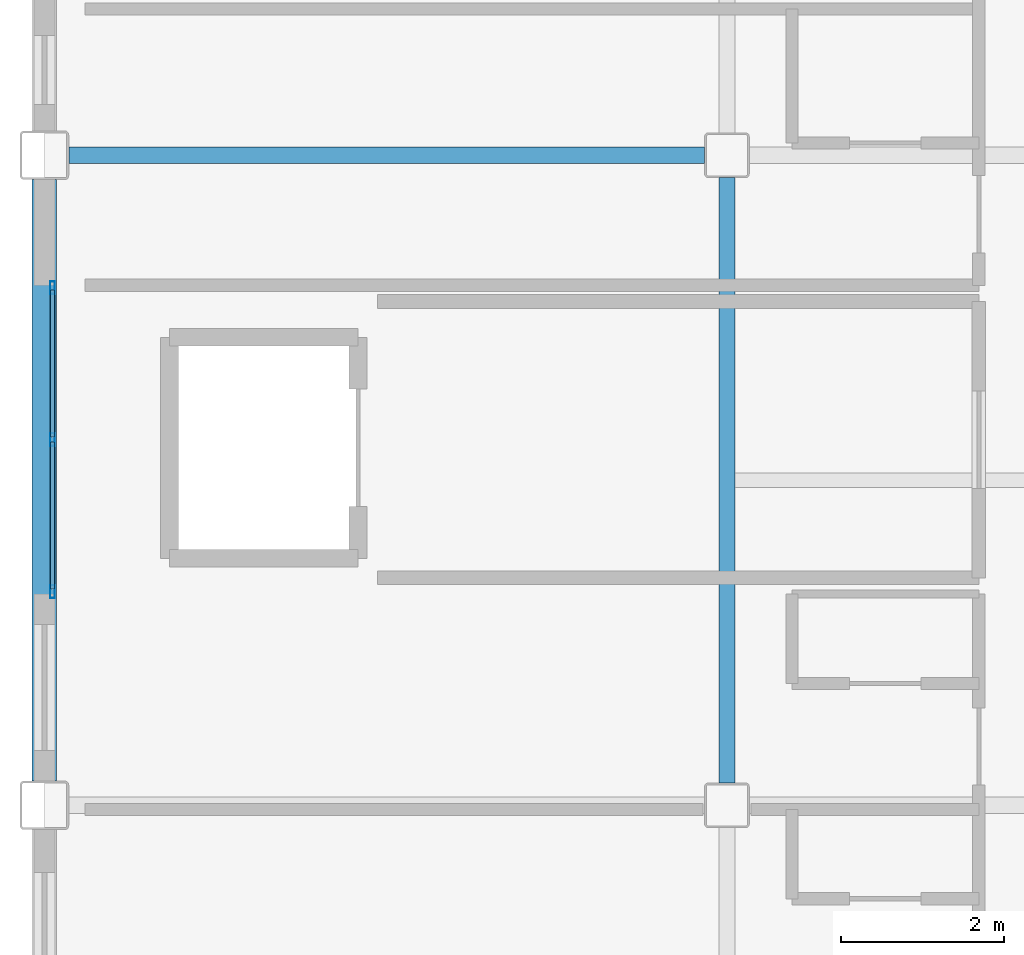
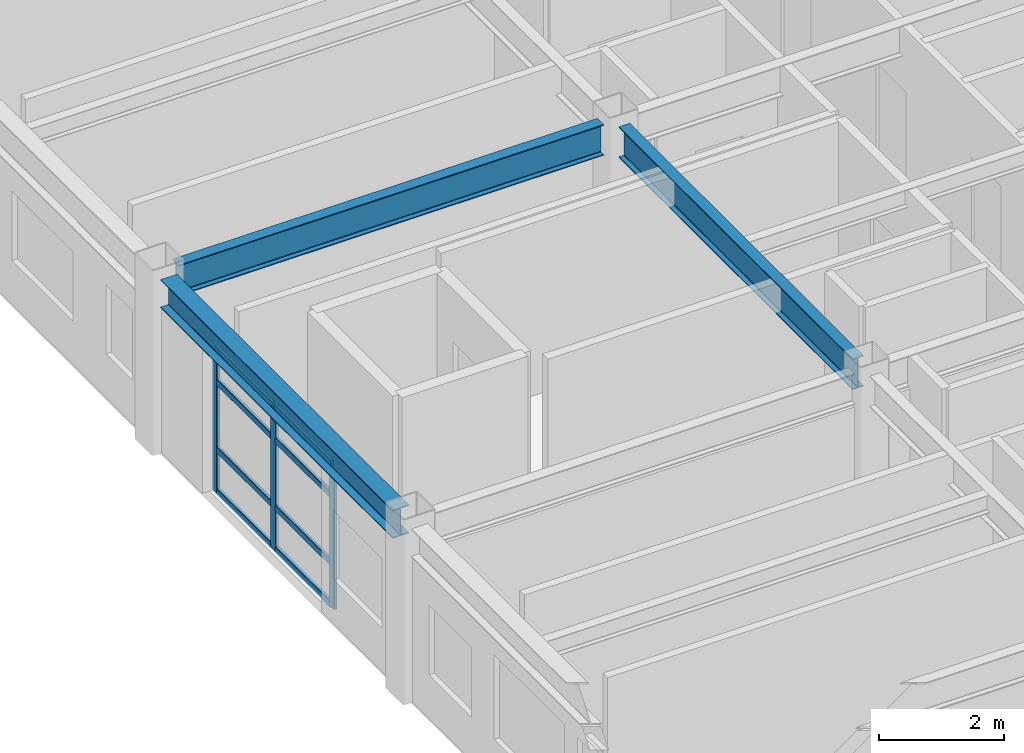
# One storey, part 8 of 36: 11 members, 3 beams, 1 element without a shape of its own.
"""IFC4 building model written with IfcOpenShell, lengths in metres."""

from ifc_helpers import new_model, si_unit, direction, frame, origin, origin_2d, place, context, subcontext, project, spatial, hollow_rectangle, i_section, extrude, material, layer, layer_set, material_profile, profile_set, type_object, element, aggregate, save


model = new_model("IFC4")

# Units and contexts
model_context = context("Model", 3, precision=1e-05, world=origin(), true_north=direction((0.0, 1.0)))
body_context = subcontext(model_context, "Body", "Model", "MODEL_VIEW")
ifc_project = project(units=[si_unit("LENGTHUNIT", "METRE"), si_unit("AREAUNIT", "SQUARE_METRE"), si_unit("VOLUMEUNIT", "CUBIC_METRE"), si_unit("PLANEANGLEUNIT", "RADIAN"), si_unit("MASSUNIT", "GRAM", prefix="KILO")], contexts=[model_context])

# Site, building, storey
site_placement = place(None, origin())
site = spatial("IfcSite", under=ifc_project, at=site_placement, CompositionType="ELEMENT")
building_placement = place(site_placement, origin())
building = spatial("IfcBuilding", under=site, at=building_placement, Name="Kazehara Bluff Congress Hotel", CompositionType="ELEMENT")
storey_placement = place(building_placement, frame((0.0, 0.0, 31.800048828125)))
storey = spatial("IfcBuildingStorey", under=building, at=storey_placement, Name="L07", CompositionType="ELEMENT", Elevation=31.800048828125)

# Curtain wall, members
ifc_material_1 = material(Name="Anodised aluminium", Category="aluminium")
ifc_layer = layer(ifc_material_1, 0.159912109375)
ifc_layer_set = layer_set([ifc_layer], Name="Anodised aluminium")
curtain_wall_type = type_object("IfcCurtainWallType", Name="TP-CW-176", PredefinedType="NOTDEFINED", material=ifc_layer_set)
curtain_wall_placement = place(storey_placement, origin())
curtain_wall = element("IfcCurtainWall", 1, at=curtain_wall_placement, inside=storey, type_object=curtain_wall_type, Name="L07 curtain wall CW-176 CW-ENC-V5-L07-14380-2850", PredefinedType="NOTDEFINED")
ifc_material_2 = material(Name="Anodised aluminium", Category="aluminium")
ifc_material_profile_1 = material_profile(ifc_material_2, hollow_rectangle(XDim=0.06005859375, YDim=0.159912109375, WallThickness=0.00390625, InnerFilletRadius=0.00390625, OuterFilletRadius=0.008056640625, at=origin_2d()))
ifc_profile_set_1 = profile_set([ifc_material_profile_1], Name="Anodised aluminium")
member_type_1 = type_object("IfcMemberType", Name="TP-CWM-01", PredefinedType="MULLION", material=ifc_profile_set_1)
member_1_placement = place(storey_placement, frame((143.800048828125, 26.6298828125, 0.0), z_axis=(0.0, 0.0, 1.0), x_axis=(-1.0, 0.0, 0.0)))
member_1 = element("IfcMember", 2, at=member_1_placement, type_object=member_type_1, Name="CW-176 mullion 1", PredefinedType="MULLION", context=body_context, shape_type="SweptSolid", body=[
    extrude(hollow_rectangle(XDim=0.06005859375, YDim=0.159912109375, WallThickness=0.00390625, InnerFilletRadius=0.00390625, OuterFilletRadius=0.008056640625, at=origin_2d()), origin(), (0.0, 0.0, 1.0), 2.804931640625),
])
member_2_placement = place(storey_placement, frame((143.800048828125, 28.5, 0.0), z_axis=(0.0, 0.0, 1.0), x_axis=(-1.0, 0.0, 0.0)))
member_2 = element("IfcMember", 3, at=member_2_placement, type_object=member_type_1, Name="CW-176 mullion 2", PredefinedType="MULLION", context=body_context, shape_type="SweptSolid", body=[
    extrude(hollow_rectangle(XDim=0.06005859375, YDim=0.159912109375, WallThickness=0.00390625, InnerFilletRadius=0.00390625, OuterFilletRadius=0.008056640625, at=origin_2d()), origin(), (0.0, 0.0, 1.0), 2.804931640625),
])
member_3_placement = place(storey_placement, frame((143.800048828125, 30.3701171875, 0.0), z_axis=(0.0, 0.0, 1.0), x_axis=(-1.0, 0.0, 0.0)))
member_3 = element("IfcMember", 4, at=member_3_placement, type_object=member_type_1, Name="CW-176 mullion 3", PredefinedType="MULLION", context=body_context, shape_type="SweptSolid", body=[
    extrude(hollow_rectangle(XDim=0.06005859375, YDim=0.159912109375, WallThickness=0.00390625, InnerFilletRadius=0.00390625, OuterFilletRadius=0.008056640625, at=origin_2d()), origin(), (0.0, 0.0, 1.0), 2.804931640625),
])
ifc_material_3 = material(Name="Anodised aluminium", Category="aluminium")
ifc_material_profile_2 = material_profile(ifc_material_3, hollow_rectangle(XDim=0.06005859375, YDim=0.1201171875, WallThickness=0.00390625, InnerFilletRadius=0.00390625, OuterFilletRadius=0.008056640625, at=origin_2d()))
ifc_profile_set_2 = profile_set([ifc_material_profile_2], Name="Anodised aluminium")
member_type_2 = type_object("IfcMemberType", Name="TP-CWT-01", PredefinedType="USERDEFINED", material=ifc_profile_set_2)
member_4_placement = place(storey_placement, frame((143.800048828125, 26.659912109375, 0.030029296875), z_axis=(0.0, 1.0, 0.0), x_axis=(-1.0, 0.0, 0.0)))
member_4 = element("IfcMember", 5, at=member_4_placement, type_object=member_type_2, Name="CW-176 transom 1.1", ObjectType="TRANSOM", PredefinedType="USERDEFINED", context=body_context, shape_type="SweptSolid", body=[
    extrude(hollow_rectangle(XDim=0.06005859375, YDim=0.1201171875, WallThickness=0.00390625, InnerFilletRadius=0.00390625, OuterFilletRadius=0.008056640625, at=origin_2d()), origin(), (0.0, 0.0, 1.0), 1.81005859375),
])
member_5_placement = place(storey_placement, frame((143.800048828125, 26.659912109375, 0.83984375), z_axis=(0.0, 1.0, 0.0), x_axis=(-1.0, 0.0, 0.0)))
member_5 = element("IfcMember", 6, at=member_5_placement, type_object=member_type_2, Name="CW-176 transom 1.2", ObjectType="TRANSOM", PredefinedType="USERDEFINED", context=body_context, shape_type="SweptSolid", body=[
    extrude(hollow_rectangle(XDim=0.06005859375, YDim=0.1201171875, WallThickness=0.00390625, InnerFilletRadius=0.00390625, OuterFilletRadius=0.008056640625, at=origin_2d()), origin(), (0.0, 0.0, 1.0), 1.81005859375),
])
member_6_placement = place(storey_placement, frame((143.800048828125, 26.659912109375, 2.155029296875), z_axis=(0.0, 1.0, 0.0), x_axis=(-1.0, 0.0, 0.0)))
member_6 = element("IfcMember", 7, at=member_6_placement, type_object=member_type_2, Name="CW-176 transom 1.3", ObjectType="TRANSOM", PredefinedType="USERDEFINED", context=body_context, shape_type="SweptSolid", body=[
    extrude(hollow_rectangle(XDim=0.06005859375, YDim=0.1201171875, WallThickness=0.00390625, InnerFilletRadius=0.00390625, OuterFilletRadius=0.008056640625, at=origin_2d()), origin(), (0.0, 0.0, 1.0), 1.81005859375),
])
member_7_placement = place(storey_placement, frame((143.800048828125, 26.659912109375, 2.77490234375), z_axis=(0.0, 1.0, 0.0), x_axis=(-1.0, 0.0, 0.0)))
member_7 = element("IfcMember", 8, at=member_7_placement, type_object=member_type_2, Name="CW-176 transom 1.4", ObjectType="TRANSOM", PredefinedType="USERDEFINED", context=body_context, shape_type="SweptSolid", body=[
    extrude(hollow_rectangle(XDim=0.06005859375, YDim=0.1201171875, WallThickness=0.00390625, InnerFilletRadius=0.00390625, OuterFilletRadius=0.008056640625, at=origin_2d()), origin(), (0.0, 0.0, 1.0), 1.81005859375),
])
member_8_placement = place(storey_placement, frame((143.800048828125, 28.530029296875, 0.030029296875), z_axis=(0.0, 1.0, 0.0), x_axis=(-1.0, 0.0, 0.0)))
member_8 = element("IfcMember", 9, at=member_8_placement, type_object=member_type_2, Name="CW-176 transom 2.1", ObjectType="TRANSOM", PredefinedType="USERDEFINED", context=body_context, shape_type="SweptSolid", body=[
    extrude(hollow_rectangle(XDim=0.06005859375, YDim=0.1201171875, WallThickness=0.00390625, InnerFilletRadius=0.00390625, OuterFilletRadius=0.008056640625, at=origin_2d()), origin(), (0.0, 0.0, 1.0), 1.81005859375),
])
member_9_placement = place(storey_placement, frame((143.800048828125, 28.530029296875, 0.83984375), z_axis=(0.0, 1.0, 0.0), x_axis=(-1.0, 0.0, 0.0)))
member_9 = element("IfcMember", 10, at=member_9_placement, type_object=member_type_2, Name="CW-176 transom 2.2", ObjectType="TRANSOM", PredefinedType="USERDEFINED", context=body_context, shape_type="SweptSolid", body=[
    extrude(hollow_rectangle(XDim=0.06005859375, YDim=0.1201171875, WallThickness=0.00390625, InnerFilletRadius=0.00390625, OuterFilletRadius=0.008056640625, at=origin_2d()), origin(), (0.0, 0.0, 1.0), 1.81005859375),
])
member_10_placement = place(storey_placement, frame((143.800048828125, 28.530029296875, 2.155029296875), z_axis=(0.0, 1.0, 0.0), x_axis=(-1.0, 0.0, 0.0)))
member_10 = element("IfcMember", 11, at=member_10_placement, type_object=member_type_2, Name="CW-176 transom 2.3", ObjectType="TRANSOM", PredefinedType="USERDEFINED", context=body_context, shape_type="SweptSolid", body=[
    extrude(hollow_rectangle(XDim=0.06005859375, YDim=0.1201171875, WallThickness=0.00390625, InnerFilletRadius=0.00390625, OuterFilletRadius=0.008056640625, at=origin_2d()), origin(), (0.0, 0.0, 1.0), 1.81005859375),
])
member_11_placement = place(storey_placement, frame((143.800048828125, 28.530029296875, 2.77490234375), z_axis=(0.0, 1.0, 0.0), x_axis=(-1.0, 0.0, 0.0)))
member_11 = element("IfcMember", 12, at=member_11_placement, type_object=member_type_2, Name="CW-176 transom 2.4", ObjectType="TRANSOM", PredefinedType="USERDEFINED", context=body_context, shape_type="SweptSolid", body=[
    extrude(hollow_rectangle(XDim=0.06005859375, YDim=0.1201171875, WallThickness=0.00390625, InnerFilletRadius=0.00390625, OuterFilletRadius=0.008056640625, at=origin_2d()), origin(), (0.0, 0.0, 1.0), 1.81005859375),
])
aggregate(curtain_wall, [member_1, member_2, member_3, member_4, member_5, member_6, member_7, member_8, member_9, member_10, member_11])

# Beams
ifc_material_4 = material(Name="Steel SN490B", Category="steel")
ifc_material_profile_3 = material_profile(ifc_material_4, i_section(OverallWidth=0.199951171875, OverallDepth=0.60009765625, WebThickness=0.010986328125, FlangeThickness=0.01708984375, FilletRadius=0.012939453125, at=origin_2d()))
ifc_profile_set_3 = profile_set([ifc_material_profile_3], Name="Steel SN490B")
beam_type_1 = type_object("IfcBeamType", Name="TP-G-02", PredefinedType="BEAM", material=ifc_profile_set_3)
beam_1_placement = place(storey_placement, frame((152.10009765625, 24.27490234375, 3.079833984375), z_axis=(0.0, 1.0, 0.0), x_axis=(-1.0, 0.0, 0.0)))
element("IfcBeam", 13, at=beam_1_placement, inside=storey, type_object=beam_type_1, Name="L07 girder G-02 13", PredefinedType="BEAM", context=body_context, shape_type="SweptSolid", body=[
    extrude(i_section(OverallWidth=0.199951171875, OverallDepth=0.60009765625, WebThickness=0.010986328125, FlangeThickness=0.01708984375, FilletRadius=0.012939453125, at=origin_2d()), origin(), (0.0, 0.0, 1.0), 7.4501953125),
])
beam_2_placement = place(storey_placement, frame((144.0, 32.0, 3.079833984375), z_axis=(1.0, 0.0, 0.0), x_axis=(0.0, 1.0, 0.0)))
element("IfcBeam", 14, at=beam_2_placement, inside=storey, type_object=beam_type_1, Name="L07 girder G-02 45", PredefinedType="BEAM", context=body_context, shape_type="SweptSolid", body=[
    extrude(i_section(OverallWidth=0.199951171875, OverallDepth=0.60009765625, WebThickness=0.010986328125, FlangeThickness=0.01708984375, FilletRadius=0.012939453125, at=origin_2d()), origin(), (0.0, 0.0, 1.0), 7.824951171875),
])
ifc_material_5 = material(Name="Steel SN490B", Category="steel")
ifc_material_profile_4 = material_profile(ifc_material_5, i_section(OverallWidth=0.300048828125, OverallDepth=0.550048828125, WebThickness=0.010986328125, FlangeThickness=0.01806640625, FilletRadius=0.012939453125, at=origin_2d()))
ifc_profile_set_4 = profile_set([ifc_material_profile_4], Name="Steel SN490B")
beam_type_2 = type_object("IfcBeamType", Name="TP-SP-01", PredefinedType="SPANDREL", material=ifc_profile_set_4)
beam_3_placement = place(storey_placement, frame((143.699951171875, 24.300048828125, 3.10498046875), z_axis=(0.0, 1.0, 0.0), x_axis=(-1.0, 0.0, 0.0)))
element("IfcBeam", 15, at=beam_3_placement, inside=storey, type_object=beam_type_2, Name="L07 girder SP-01 3", PredefinedType="SPANDREL", context=body_context, shape_type="SweptSolid", body=[
    extrude(i_section(OverallWidth=0.300048828125, OverallDepth=0.550048828125, WebThickness=0.010986328125, FlangeThickness=0.01806640625, FilletRadius=0.012939453125, at=origin_2d()), origin(), (0.0, 0.0, 1.0), 7.39990234375),
])

save(model, "model.ifc")
